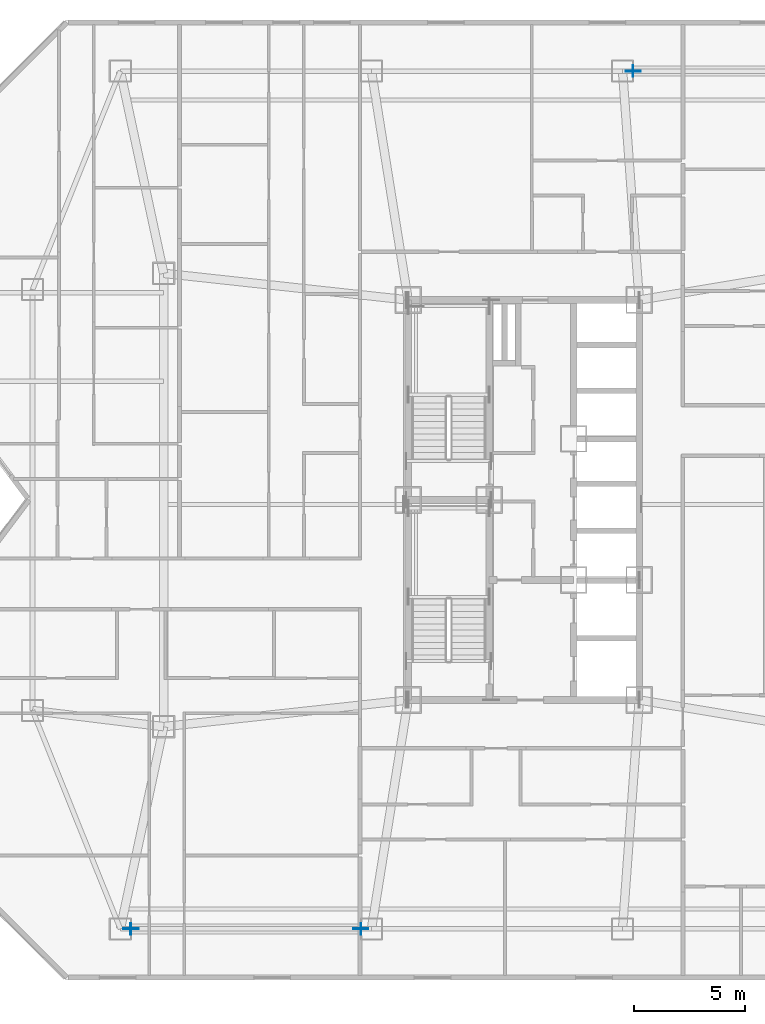
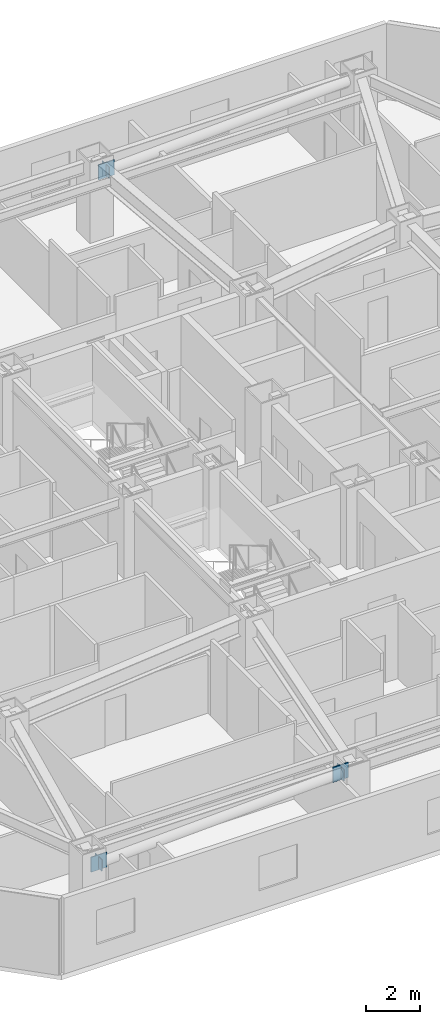
# One storey, part 9 of 19: 6 plates.
"""IFC4 building model written with IfcOpenShell, lengths in metres."""

from ifc_helpers import new_model, si_unit, direction, frame, origin, origin_2d, place, context, subcontext, project, spatial, rectangle, extrude, material, layer, layer_set, type_object, element, save


model = new_model("IFC4")

# Units and contexts
model_context = context("Model", 3, precision=1e-05, world=origin(), true_north=direction((0.0, 1.0)))
body_context = subcontext(model_context, "Body", "Model", "MODEL_VIEW")
ifc_project = project(units=[si_unit("LENGTHUNIT", "METRE"), si_unit("AREAUNIT", "SQUARE_METRE"), si_unit("VOLUMEUNIT", "CUBIC_METRE"), si_unit("PLANEANGLEUNIT", "RADIAN"), si_unit("MASSUNIT", "GRAM", prefix="KILO")], contexts=[model_context])

# Site, building, storey
site_placement = place(None, origin())
site = spatial("IfcSite", under=ifc_project, at=site_placement, CompositionType="ELEMENT")
building_placement = place(site_placement, origin())
building = spatial("IfcBuilding", under=site, at=building_placement, Name="Khamvora Tower", CompositionType="ELEMENT")
storey_placement = place(building_placement, frame((0.0, 0.0, 120.14990234375)))
storey = spatial("IfcBuildingStorey", under=building, at=storey_placement, Name="L30", CompositionType="ELEMENT", Elevation=120.14990234375)

# Plates
ifc_material_1 = material(Name="Steel S355", Category="steel")
ifc_layer_1 = layer(ifc_material_1, 0.02490234375)
ifc_layer_set_1 = layer_set([ifc_layer_1], Name="Steel S355")
plate_type_1 = type_object("IfcPlateType", Name="PL-CAP-25", PredefinedType="SHEET", material=ifc_layer_set_1)
for number, where, z_axis, x_axis, name in (
    (1, (16.51806640625, 8.699951171875, 2.440673828125), (0.0, 0.0, 1.0), (1.0, 0.0, 0.0), "L30 hollow section steel end cap plate 0764"),
    (2, (26.882080078125, 8.699951171875, 2.883544921875), (0.0, 0.0, 1.0), (1.0, 0.0, 0.0), "L30 hollow section steel end cap plate 0765"),
    (3, (39.117919921875, 47.300048828125, 2.440673828125), (0.0, 0.0, 1.0), (1.0, 0.0, 0.0), "L30 hollow section steel end cap plate 0766"),
):
    element("IfcPlate", number, at=place(storey_placement, frame(where, z_axis=z_axis, x_axis=x_axis)), inside=storey, type_object=plate_type_1, Name=name, PredefinedType="SHEET", context=body_context, shape_type="SweptSolid", body=[
        extrude(rectangle(XDim=0.02490234375, YDim=0.51708984375, at=origin_2d()), origin(), (0.0, 0.0, 1.0), 0.51708984375),
    ])
ifc_material_2 = material(Name="Steel S460", Category="steel")
ifc_layer_2 = layer(ifc_material_2, 0.0400390625)
ifc_layer_set_2 = layer_set([ifc_layer_2], Name="Steel S460")
plate_type_2 = type_object("IfcPlateType", Name="PLT-GUS-40", PredefinedType="SHEET", material=ifc_layer_set_2)
for number, where, z_axis, x_axis, name in (
    (4, (16.530029296875, 8.699951171875, 2.3603515625), (0.0, 0.0, 1.0), (1.0, 0.0, 0.0), "L30 brace connection node gusset plate 0197"),
    (5, (26.8701171875, 8.699951171875, 2.80126953125), (0.0, 0.0, 1.0), (1.0, 0.0, 0.0), "L30 brace connection node gusset plate 0198"),
    (6, (39.1298828125, 47.300048828125, 2.3603515625), (0.0, 0.0, 1.0), (1.0, 0.0, 0.0), "L30 brace connection node gusset plate 0199"),
):
    element("IfcPlate", number, at=place(storey_placement, frame(where, z_axis=z_axis, x_axis=x_axis)), inside=storey, type_object=plate_type_2, Name=name, PredefinedType="SHEET", context=body_context, shape_type="SweptSolid", body=[
        extrude(rectangle(XDim=0.679931640625, YDim=0.0400390625, at=origin_2d()), origin(), (0.0, 0.0, 1.0), 0.679931640625),
    ])

save(model, "model.ifc")
